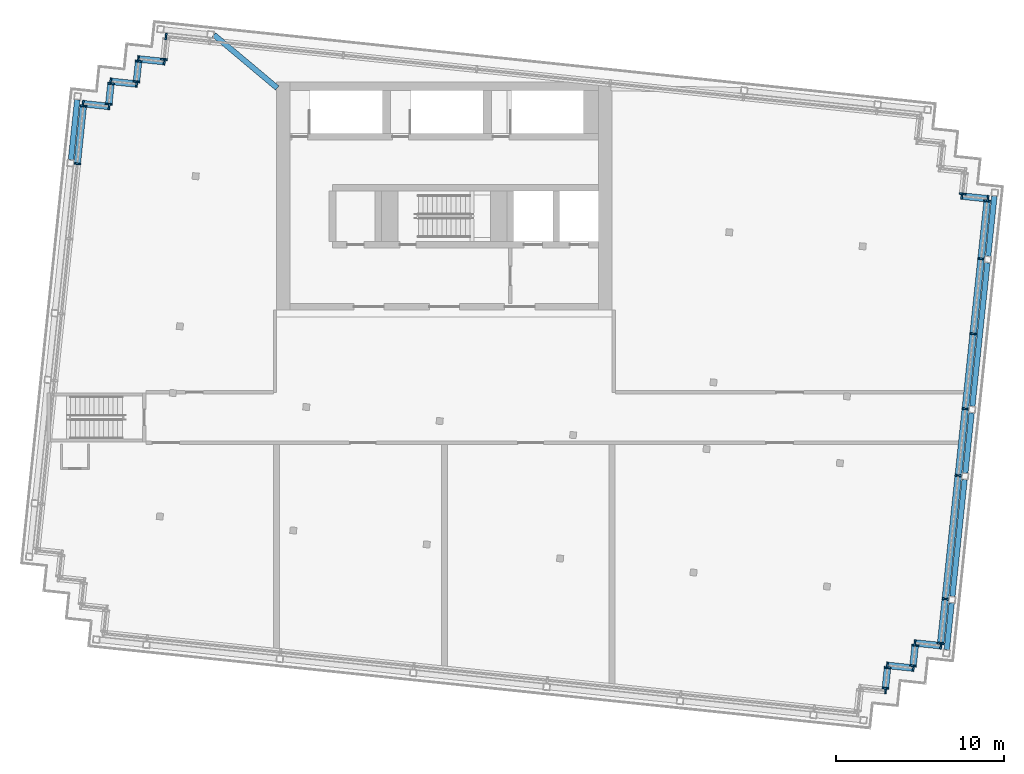
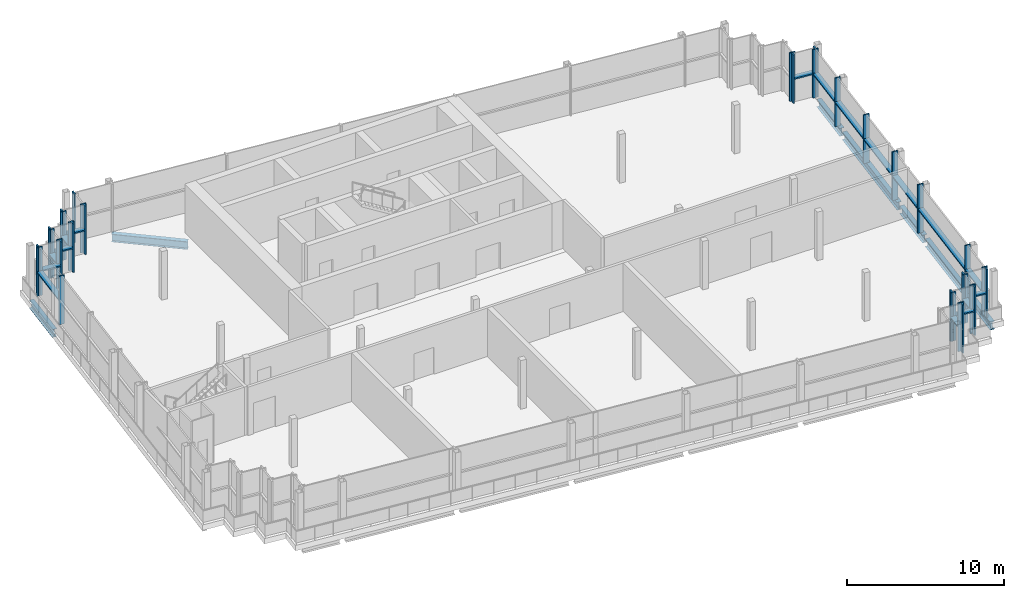
# One storey, part 4 of 13: 50 members, 7 beams, 16 elements without a shape of their own.
"""IFC4 building model written with IfcOpenShell, lengths in metres."""

from ifc_helpers import new_model, si_unit, direction, frame, origin, origin_2d, place, context, subcontext, project, spatial, rectangle, i_section, extrude, material, material_profile, profile_set, type_object, element, aggregate, save


model = new_model("IFC4")

# Units and contexts
model_context = context("Model", 3, precision=1e-05, world=origin(), true_north=direction((0.0, 1.0)))
body_context = subcontext(model_context, "Body", "Model", "MODEL_VIEW")
ifc_project = project(units=[si_unit("LENGTHUNIT", "METRE"), si_unit("AREAUNIT", "SQUARE_METRE"), si_unit("VOLUMEUNIT", "CUBIC_METRE"), si_unit("PLANEANGLEUNIT", "RADIAN"), si_unit("MASSUNIT", "GRAM", prefix="KILO")], contexts=[model_context])

# Site, building, storey
site_placement = place(None, origin())
site = spatial("IfcSite", under=ifc_project, at=site_placement, CompositionType="ELEMENT")
building_placement = place(site_placement, origin())
building = spatial("IfcBuilding", under=site, at=building_placement, Name="Vidyagriha Tower", CompositionType="ELEMENT")
storey_placement = place(building_placement, frame((0.0, 0.0, 309.199951171875)))
storey = spatial("IfcBuildingStorey", under=building, at=storey_placement, Name="L79", CompositionType="ELEMENT", Elevation=309.199951171875)

# Beams
ifc_material_1 = material(Name="Steel ASTM A992 Grade 50", Category="steel")
ifc_material_profile_1 = material_profile(ifc_material_1, i_section(OverallWidth=0.32373046875, OverallDepth=0.612060546875, WebThickness=0.0126953125, FlangeThickness=0.01904296875, at=origin_2d()), Name="W24X104")
ifc_profile_set_1 = profile_set([ifc_material_profile_1], Name="Steel ASTM A992 Grade 50")
beam_type = type_object("IfcBeamType", Name="Edge beam W24X104", PredefinedType="SPANDREL", material=ifc_profile_set_1)
beam_1_placement = place(storey_placement, frame((-22.269287109375, 15.372802734375, -0.72607421875), z_axis=(0.104578872801, 0.994516595821, 0.0), x_axis=(-0.994516595821, 0.104578872801, 0.0)))
element("IfcBeam", 1, at=beam_1_placement, inside=storey, type_object=beam_type, Name="st-beam-L79-W12", PredefinedType="SPANDREL", context=body_context, shape_type="SweptSolid", body=[
    extrude(i_section(OverallWidth=0.32373046875, OverallDepth=0.612060546875, WebThickness=0.0126953125, FlangeThickness=0.01904296875, at=origin_2d()), origin(), (0.0, 0.0, 1.0), 3.599853515625),
])
beam_2_placement = place(storey_placement, frame((29.962646484375, -13.846923828125, -0.72607421875), z_axis=(0.104553147, 0.994519300694, 0.0), x_axis=(-0.994519300694, 0.104553147, 0.0)))
element("IfcBeam", 2, at=beam_2_placement, inside=storey, type_object=beam_type, Name="st-beam-L79-E13", PredefinedType="SPANDREL", context=body_context, shape_type="SweptSolid", body=[
    extrude(i_section(OverallWidth=0.32373046875, OverallDepth=0.612060546875, WebThickness=0.0126953125, FlangeThickness=0.01904296875, at=origin_2d()), origin(), (0.0, 0.0, 1.0), 2.7998046875),
])
beam_3_placement = place(storey_placement, frame((30.297119140625, -10.66455078125, -0.72607421875), z_axis=(0.104526832686, 0.994522066748, 0.0), x_axis=(-0.994522066748, 0.104526832686, 0.0)))
element("IfcBeam", 3, at=beam_3_placement, inside=storey, type_object=beam_type, Name="st-beam-L79-E14", PredefinedType="SPANDREL", context=body_context, shape_type="SweptSolid", body=[
    extrude(i_section(OverallWidth=0.32373046875, OverallDepth=0.612060546875, WebThickness=0.0126953125, FlangeThickness=0.01904296875, at=origin_2d()), origin(), (0.0, 0.0, 1.0), 7.0),
])
beam_4_placement = place(storey_placement, frame((31.070556640625, -3.30517578125, -0.72607421875), z_axis=(0.104571819597, 0.994517337479, 0.0), x_axis=(-0.994517337479, 0.104571819597, 0.0)))
element("IfcBeam", 4, at=beam_4_placement, inside=storey, type_object=beam_type, Name="st-beam-L79-E15", PredefinedType="SPANDREL", context=body_context, shape_type="SweptSolid", body=[
    extrude(i_section(OverallWidth=0.32373046875, OverallDepth=0.612060546875, WebThickness=0.0126953125, FlangeThickness=0.01904296875, at=origin_2d()), origin(), (0.0, 0.0, 1.0), 3.60009765625),
])
beam_5_placement = place(storey_placement, frame((31.48876953125, 0.673095703125, -0.72607421875), z_axis=(0.104528138401, 0.994521929513, 0.0), x_axis=(-0.994521929513, 0.104528138401, 0.0)))
element("IfcBeam", 5, at=beam_5_placement, inside=storey, type_object=beam_type, Name="st-beam-L79-E16", PredefinedType="SPANDREL", context=body_context, shape_type="SweptSolid", body=[
    extrude(i_section(OverallWidth=0.32373046875, OverallDepth=0.612060546875, WebThickness=0.0126953125, FlangeThickness=0.01904296875, at=origin_2d()), origin(), (0.0, 0.0, 1.0), 8.599853515625),
])
beam_6_placement = place(storey_placement, frame((32.429443359375, 9.623779296875, -0.72607421875), z_axis=(0.104571819597, 0.994517337479, 0.0), x_axis=(-0.994517337479, 0.104571819597, 0.0)))
element("IfcBeam", 6, at=beam_6_placement, inside=storey, type_object=beam_type, Name="st-beam-L79-E17", PredefinedType="SPANDREL", context=body_context, shape_type="SweptSolid", body=[
    extrude(i_section(OverallWidth=0.32373046875, OverallDepth=0.612060546875, WebThickness=0.0126953125, FlangeThickness=0.01904296875, at=origin_2d()), origin(), (0.0, 0.0, 1.0), 3.60009765625),
])
beam_7_placement = place(storey_placement, frame((-13.743896484375, 22.822509765625, -0.72607421875), z_axis=(0.76590463898, -0.642954184984, 0.0), x_axis=(0.642954184984, 0.76590463898, 0.0)))
element("IfcBeam", 7, at=beam_7_placement, inside=storey, type_object=beam_type, Name="st-beam-L79-NC21", PredefinedType="SPANDREL", context=body_context, shape_type="SweptSolid", body=[
    extrude(i_section(OverallWidth=0.32373046875, OverallDepth=0.612060546875, WebThickness=0.0126953125, FlangeThickness=0.01904296875, at=origin_2d()), origin(), (0.0, 0.0, 1.0), 4.934326171875),
])

# Curtain wall, members
ifc_material_2 = material(Name="Aluminium and glass curtain wall", Category="aluminium")
curtain_wall_type = type_object("IfcCurtainWallType", Name="Crown plant louvre wall", PredefinedType="USERDEFINED", material=ifc_material_2)
curtain_wall_1_placement = place(storey_placement, origin())
curtain_wall_1 = element("IfcCurtainWall", 8, at=curtain_wall_1_placement, inside=storey, type_object=curtain_wall_type, Name="CW9 crown plant louvre wall", ObjectType="STICK GLAZING", PredefinedType="USERDEFINED")
ifc_material_3 = material(Name="Aluminium black anodised", Category="aluminium")
ifc_material_profile_2 = material_profile(ifc_material_3, rectangle(XDim=0.39990234375, YDim=0.10009765625, at=origin_2d()), Name="Mullion 100x400 black aluminium")
ifc_profile_set_2 = profile_set([ifc_material_profile_2], Name="Aluminium black anodised")
member_type_1 = type_object("IfcMemberType", Name="Mullion 100x400 black aluminium", PredefinedType="MULLION", material=ifc_profile_set_2)
member_1_placement = place(storey_placement, frame((32.4169921875, 13.043701171875, 0.0), z_axis=(0.0, 0.0, 1.0), x_axis=(-0.104465258184, -0.99452853646, 0.0)))
member_1 = element("IfcMember", 9, at=member_1_placement, type_object=member_type_1, Name="CW9 mullion 1", PredefinedType="MULLION", context=body_context, shape_type="SweptSolid", body=[
    extrude(rectangle(XDim=0.39990234375, YDim=0.10009765625, at=origin_2d()), origin(), (0.0, 0.0, 1.0), 3.780029296875),
])
member_2_placement = place(storey_placement, frame((30.865478515625, 13.206787109375, 0.0), z_axis=(0.0, 0.0, 1.0), x_axis=(-0.104465258184, -0.99452853646, 0.0)))
member_2 = element("IfcMember", 10, at=member_2_placement, type_object=member_type_1, Name="CW9 mullion 2", PredefinedType="MULLION", context=body_context, shape_type="SweptSolid", body=[
    extrude(rectangle(XDim=0.39990234375, YDim=0.10009765625, at=origin_2d()), origin(), (0.0, 0.0, 1.0), 3.780029296875),
])

# Curtain wall, member
curtain_wall_2_placement = place(storey_placement, origin())
curtain_wall_2 = element("IfcCurtainWall", 11, at=curtain_wall_2_placement, inside=storey, type_object=curtain_wall_type, Name="CW9 crown plant louvre wall", ObjectType="STICK GLAZING", PredefinedType="USERDEFINED")
member_3_placement = place(storey_placement, frame((30.908935546875, 13.332763671875, 0.0), z_axis=(0.0, 0.0, 1.0), x_axis=(-0.994527511623, 0.104475014354, 0.0)))
member_3 = element("IfcMember", 12, at=member_3_placement, type_object=member_type_1, Name="CW9 mullion 1", PredefinedType="MULLION", context=body_context, shape_type="SweptSolid", body=[
    extrude(rectangle(XDim=0.39990234375, YDim=0.10009765625, at=origin_2d()), origin(), (0.0, 0.0, 1.0), 3.780029296875),
])
aggregate(curtain_wall_2, [member_3])

curtain_wall_3_placement = place(storey_placement, origin())
curtain_wall_3 = element("IfcCurtainWall", 13, at=curtain_wall_3_placement, inside=storey, type_object=curtain_wall_type, Name="CW9 crown plant louvre wall", ObjectType="STICK GLAZING", PredefinedType="USERDEFINED")
member_4_placement = place(storey_placement, frame((-16.60009765625, 22.720458984375, 0.0), z_axis=(0.0, 0.0, 1.0), x_axis=(-0.104528022383, -0.994521941707, 0.0)))
member_4 = element("IfcMember", 14, at=member_4_placement, type_object=member_type_1, Name="CW9 mullion 8", PredefinedType="MULLION", context=body_context, shape_type="SweptSolid", body=[
    extrude(rectangle(XDim=0.39990234375, YDim=0.10009765625, at=origin_2d()), origin(), (0.0, 0.0, 1.0), 3.780029296875),
])
aggregate(curtain_wall_3, [member_4])

curtain_wall_4_placement = place(storey_placement, origin())
curtain_wall_4 = element("IfcCurtainWall", 15, at=curtain_wall_4_placement, inside=storey, type_object=curtain_wall_type, Name="CW9 crown plant louvre wall", ObjectType="STICK GLAZING", PredefinedType="USERDEFINED")
member_5_placement = place(storey_placement, frame((-16.713623046875, 21.354736328125, 0.0), z_axis=(0.0, 0.0, 1.0), x_axis=(0.994519755162, -0.104548823962, 0.0)))
member_5 = element("IfcMember", 16, at=member_5_placement, type_object=member_type_1, Name="CW9 mullion 2", PredefinedType="MULLION", context=body_context, shape_type="SweptSolid", body=[
    extrude(rectangle(XDim=0.39990234375, YDim=0.10009765625, at=origin_2d()), origin(), (0.0, 0.0, 1.0), 3.780029296875),
])
aggregate(curtain_wall_4, [member_5])

# Curtain wall, members
curtain_wall_5_placement = place(storey_placement, origin())
curtain_wall_5 = element("IfcCurtainWall", 17, at=curtain_wall_5_placement, inside=storey, type_object=curtain_wall_type, Name="CW9 crown plant louvre wall", ObjectType="STICK GLAZING", PredefinedType="USERDEFINED")
member_6_placement = place(storey_placement, frame((-16.697265625, 21.222412109375, 0.0), z_axis=(0.0, 0.0, 1.0), x_axis=(-0.104518583201, -0.994522933756, 0.0)))
member_6 = element("IfcMember", 18, at=member_6_placement, type_object=member_type_1, Name="CW9 mullion 1", PredefinedType="MULLION", context=body_context, shape_type="SweptSolid", body=[
    extrude(rectangle(XDim=0.39990234375, YDim=0.10009765625, at=origin_2d()), origin(), (0.0, 0.0, 1.0), 3.780029296875),
])
member_7_placement = place(storey_placement, frame((-18.248779296875, 21.38525390625, 0.0), z_axis=(0.0, 0.0, 1.0), x_axis=(-0.104518583201, -0.994522933756, 0.0)))
member_7 = element("IfcMember", 19, at=member_7_placement, type_object=member_type_1, Name="CW9 mullion 2", PredefinedType="MULLION", context=body_context, shape_type="SweptSolid", body=[
    extrude(rectangle(XDim=0.39990234375, YDim=0.10009765625, at=origin_2d()), origin(), (0.0, 0.0, 1.0), 3.780029296875),
])

curtain_wall_6_placement = place(storey_placement, origin())
curtain_wall_6 = element("IfcCurtainWall", 20, at=curtain_wall_6_placement, inside=storey, type_object=curtain_wall_type, Name="CW9 crown plant louvre wall", ObjectType="STICK GLAZING", PredefinedType="USERDEFINED")
member_8_placement = place(storey_placement, frame((-18.232421875, 21.2529296875, 0.0), z_axis=(0.0, 0.0, 1.0), x_axis=(0.994519755162, -0.104548823962, 0.0)))
member_8 = element("IfcMember", 21, at=member_8_placement, type_object=member_type_1, Name="CW9 mullion 1", PredefinedType="MULLION", context=body_context, shape_type="SweptSolid", body=[
    extrude(rectangle(XDim=0.39990234375, YDim=0.10009765625, at=origin_2d()), origin(), (0.0, 0.0, 1.0), 3.780029296875),
])
member_9_placement = place(storey_placement, frame((-18.362060546875, 20.019775390625, 0.0), z_axis=(0.0, 0.0, 1.0), x_axis=(0.994519755162, -0.104548823962, 0.0)))
member_9 = element("IfcMember", 22, at=member_9_placement, type_object=member_type_1, Name="CW9 mullion 2", PredefinedType="MULLION", context=body_context, shape_type="SweptSolid", body=[
    extrude(rectangle(XDim=0.39990234375, YDim=0.10009765625, at=origin_2d()), origin(), (0.0, 0.0, 1.0), 3.780029296875),
])

curtain_wall_7_placement = place(storey_placement, origin())
curtain_wall_7 = element("IfcCurtainWall", 23, at=curtain_wall_7_placement, inside=storey, type_object=curtain_wall_type, Name="CW9 crown plant louvre wall", ObjectType="STICK GLAZING", PredefinedType="USERDEFINED")
member_10_placement = place(storey_placement, frame((-18.345703125, 19.88720703125, 0.0), z_axis=(0.0, 0.0, 1.0), x_axis=(-0.104512321721, -0.994523591781, 0.0)))
member_10 = element("IfcMember", 24, at=member_10_placement, type_object=member_type_1, Name="CW9 mullion 1", PredefinedType="MULLION", context=body_context, shape_type="SweptSolid", body=[
    extrude(rectangle(XDim=0.39990234375, YDim=0.10009765625, at=origin_2d()), origin(), (0.0, 0.0, 1.0), 3.780029296875),
])
member_11_placement = place(storey_placement, frame((-19.897216796875, 20.05029296875, 0.0), z_axis=(0.0, 0.0, 1.0), x_axis=(-0.104512321721, -0.994523591781, 0.0)))
member_11 = element("IfcMember", 25, at=member_11_placement, type_object=member_type_1, Name="CW9 mullion 2", PredefinedType="MULLION", context=body_context, shape_type="SweptSolid", body=[
    extrude(rectangle(XDim=0.39990234375, YDim=0.10009765625, at=origin_2d()), origin(), (0.0, 0.0, 1.0), 3.780029296875),
])

curtain_wall_8_placement = place(storey_placement, origin())
curtain_wall_8 = element("IfcCurtainWall", 26, at=curtain_wall_8_placement, inside=storey, type_object=curtain_wall_type, Name="CW9 crown plant louvre wall", ObjectType="STICK GLAZING", PredefinedType="USERDEFINED")
member_12_placement = place(storey_placement, frame((-19.881103515625, 19.91796875, 0.0), z_axis=(0.0, 0.0, 1.0), x_axis=(0.994518123441, -0.10456434453, 0.0)))
member_12 = element("IfcMember", 27, at=member_12_placement, type_object=member_type_1, Name="CW9 mullion 1", PredefinedType="MULLION", context=body_context, shape_type="SweptSolid", body=[
    extrude(rectangle(XDim=0.39990234375, YDim=0.10009765625, at=origin_2d()), origin(), (0.0, 0.0, 1.0), 3.780029296875),
])
member_13_placement = place(storey_placement, frame((-20.0107421875, 18.684814453125, 0.0), z_axis=(0.0, 0.0, 1.0), x_axis=(0.994518123441, -0.10456434453, 0.0)))
member_13 = element("IfcMember", 28, at=member_13_placement, type_object=member_type_1, Name="CW9 mullion 2", PredefinedType="MULLION", context=body_context, shape_type="SweptSolid", body=[
    extrude(rectangle(XDim=0.39990234375, YDim=0.10009765625, at=origin_2d()), origin(), (0.0, 0.0, 1.0), 3.780029296875),
])

curtain_wall_9_placement = place(storey_placement, origin())
curtain_wall_9 = element("IfcCurtainWall", 29, at=curtain_wall_9_placement, inside=storey, type_object=curtain_wall_type, Name="CW9 crown plant louvre wall", ObjectType="STICK GLAZING", PredefinedType="USERDEFINED")
member_14_placement = place(storey_placement, frame((-19.994384765625, 18.552490234375, 0.0), z_axis=(0.0, 0.0, 1.0), x_axis=(-0.104452741485, -0.994529851134, 0.0)))
member_14 = element("IfcMember", 30, at=member_14_placement, type_object=member_type_1, Name="CW9 mullion 1", PredefinedType="MULLION", context=body_context, shape_type="SweptSolid", body=[
    extrude(rectangle(XDim=0.39990234375, YDim=0.10009765625, at=origin_2d()), origin(), (0.0, 0.0, 1.0), 3.780029296875),
])
member_15_placement = place(storey_placement, frame((-21.5458984375, 18.715576171875, 0.0), z_axis=(0.0, 0.0, 1.0), x_axis=(-0.104452741485, -0.994529851134, 0.0)))
member_15 = element("IfcMember", 31, at=member_15_placement, type_object=member_type_1, Name="CW9 mullion 2", PredefinedType="MULLION", context=body_context, shape_type="SweptSolid", body=[
    extrude(rectangle(XDim=0.39990234375, YDim=0.10009765625, at=origin_2d()), origin(), (0.0, 0.0, 1.0), 3.780029296875),
])

curtain_wall_10_placement = place(storey_placement, origin())
curtain_wall_10 = element("IfcCurtainWall", 32, at=curtain_wall_10_placement, inside=storey, type_object=curtain_wall_type, Name="CW9 crown plant louvre wall", ObjectType="STICK GLAZING", PredefinedType="USERDEFINED")
member_16_placement = place(storey_placement, frame((-21.529541015625, 18.5830078125, 0.0), z_axis=(0.0, 0.0, 1.0), x_axis=(0.994522018715, -0.104527289697, 0.0)))
member_16 = element("IfcMember", 33, at=member_16_placement, type_object=member_type_1, Name="CW9 mullion 1", PredefinedType="MULLION", context=body_context, shape_type="SweptSolid", body=[
    extrude(rectangle(XDim=0.39990234375, YDim=0.10009765625, at=origin_2d()), origin(), (0.0, 0.0, 1.0), 3.780029296875),
])
member_17_placement = place(storey_placement, frame((-21.892333984375, 15.132080078125, 0.0), z_axis=(0.0, 0.0, 1.0), x_axis=(0.994522018715, -0.104527289697, 0.0)))
member_17 = element("IfcMember", 34, at=member_17_placement, type_object=member_type_1, Name="CW9 mullion 2", PredefinedType="MULLION", context=body_context, shape_type="SweptSolid", body=[
    extrude(rectangle(XDim=0.39990234375, YDim=0.10009765625, at=origin_2d()), origin(), (0.0, 0.0, 1.0), 3.780029296875),
])

# Curtain wall, member
curtain_wall_11_placement = place(storey_placement, origin())
curtain_wall_11 = element("IfcCurtainWall", 35, at=curtain_wall_11_placement, inside=storey, type_object=curtain_wall_type, Name="CW9 crown plant louvre wall", ObjectType="STICK GLAZING", PredefinedType="USERDEFINED")
member_18_placement = place(storey_placement, frame((26.318359375, -16.279541015625, 0.0), z_axis=(0.0, 0.0, 1.0), x_axis=(0.104518583201, 0.994522933756, 0.0)))
member_18 = element("IfcMember", 36, at=member_18_placement, type_object=member_type_1, Name="CW9 mullion 2", PredefinedType="MULLION", context=body_context, shape_type="SweptSolid", body=[
    extrude(rectangle(XDim=0.39990234375, YDim=0.10009765625, at=origin_2d()), origin(), (0.0, 0.0, 1.0), 3.780029296875),
])
aggregate(curtain_wall_11, [member_18])

# Curtain wall, members
curtain_wall_12_placement = place(storey_placement, origin())
curtain_wall_12 = element("IfcCurtainWall", 37, at=curtain_wall_12_placement, inside=storey, type_object=curtain_wall_type, Name="CW9 crown plant louvre wall", ObjectType="STICK GLAZING", PredefinedType="USERDEFINED")
member_19_placement = place(storey_placement, frame((26.30224609375, -16.14697265625, 0.0), z_axis=(0.0, 0.0, 1.0), x_axis=(-0.994519755162, 0.104548823962, 0.0)))
member_19 = element("IfcMember", 38, at=member_19_placement, type_object=member_type_1, Name="CW9 mullion 1", PredefinedType="MULLION", context=body_context, shape_type="SweptSolid", body=[
    extrude(rectangle(XDim=0.39990234375, YDim=0.10009765625, at=origin_2d()), origin(), (0.0, 0.0, 1.0), 3.780029296875),
])
member_20_placement = place(storey_placement, frame((26.431884765625, -14.913818359375, 0.0), z_axis=(0.0, 0.0, 1.0), x_axis=(-0.994519755162, 0.104548823962, 0.0)))
member_20 = element("IfcMember", 39, at=member_20_placement, type_object=member_type_1, Name="CW9 mullion 2", PredefinedType="MULLION", context=body_context, shape_type="SweptSolid", body=[
    extrude(rectangle(XDim=0.39990234375, YDim=0.10009765625, at=origin_2d()), origin(), (0.0, 0.0, 1.0), 3.780029296875),
])

curtain_wall_13_placement = place(storey_placement, origin())
curtain_wall_13 = element("IfcCurtainWall", 40, at=curtain_wall_13_placement, inside=storey, type_object=curtain_wall_type, Name="CW9 crown plant louvre wall", ObjectType="STICK GLAZING", PredefinedType="USERDEFINED")
member_21_placement = place(storey_placement, frame((26.41552734375, -14.781494140625, 0.0), z_axis=(0.0, 0.0, 1.0), x_axis=(0.104518583201, 0.994522933756, 0.0)))
member_21 = element("IfcMember", 41, at=member_21_placement, type_object=member_type_1, Name="CW9 mullion 1", PredefinedType="MULLION", context=body_context, shape_type="SweptSolid", body=[
    extrude(rectangle(XDim=0.39990234375, YDim=0.10009765625, at=origin_2d()), origin(), (0.0, 0.0, 1.0), 3.780029296875),
])
member_22_placement = place(storey_placement, frame((27.967041015625, -14.944580078125, 0.0), z_axis=(0.0, 0.0, 1.0), x_axis=(0.104518583201, 0.994522933756, 0.0)))
member_22 = element("IfcMember", 42, at=member_22_placement, type_object=member_type_1, Name="CW9 mullion 2", PredefinedType="MULLION", context=body_context, shape_type="SweptSolid", body=[
    extrude(rectangle(XDim=0.39990234375, YDim=0.10009765625, at=origin_2d()), origin(), (0.0, 0.0, 1.0), 3.780029296875),
])

curtain_wall_14_placement = place(storey_placement, origin())
curtain_wall_14 = element("IfcCurtainWall", 43, at=curtain_wall_14_placement, inside=storey, type_object=curtain_wall_type, Name="CW9 crown plant louvre wall", ObjectType="STICK GLAZING", PredefinedType="USERDEFINED")
member_23_placement = place(storey_placement, frame((27.95068359375, -14.81201171875, 0.0), z_axis=(0.0, 0.0, 1.0), x_axis=(-0.994519755162, 0.104548823962, 0.0)))
member_23 = element("IfcMember", 44, at=member_23_placement, type_object=member_type_1, Name="CW9 mullion 1", PredefinedType="MULLION", context=body_context, shape_type="SweptSolid", body=[
    extrude(rectangle(XDim=0.39990234375, YDim=0.10009765625, at=origin_2d()), origin(), (0.0, 0.0, 1.0), 3.780029296875),
])
member_24_placement = place(storey_placement, frame((28.080322265625, -13.578857421875, 0.0), z_axis=(0.0, 0.0, 1.0), x_axis=(-0.994519755162, 0.104548823962, 0.0)))
member_24 = element("IfcMember", 45, at=member_24_placement, type_object=member_type_1, Name="CW9 mullion 2", PredefinedType="MULLION", context=body_context, shape_type="SweptSolid", body=[
    extrude(rectangle(XDim=0.39990234375, YDim=0.10009765625, at=origin_2d()), origin(), (0.0, 0.0, 1.0), 3.780029296875),
])

curtain_wall_15_placement = place(storey_placement, origin())
curtain_wall_15 = element("IfcCurtainWall", 46, at=curtain_wall_15_placement, inside=storey, type_object=curtain_wall_type, Name="CW9 crown plant louvre wall", ObjectType="STICK GLAZING", PredefinedType="USERDEFINED")
member_25_placement = place(storey_placement, frame((28.06396484375, -13.446533203125, 0.0), z_axis=(0.0, 0.0, 1.0), x_axis=(0.104512321721, 0.994523591781, 0.0)))
member_25 = element("IfcMember", 47, at=member_25_placement, type_object=member_type_1, Name="CW9 mullion 1", PredefinedType="MULLION", context=body_context, shape_type="SweptSolid", body=[
    extrude(rectangle(XDim=0.39990234375, YDim=0.10009765625, at=origin_2d()), origin(), (0.0, 0.0, 1.0), 3.780029296875),
])
member_26_placement = place(storey_placement, frame((29.615478515625, -13.609375, 0.0), z_axis=(0.0, 0.0, 1.0), x_axis=(0.104512321721, 0.994523591781, 0.0)))
member_26 = element("IfcMember", 48, at=member_26_placement, type_object=member_type_1, Name="CW9 mullion 2", PredefinedType="MULLION", context=body_context, shape_type="SweptSolid", body=[
    extrude(rectangle(XDim=0.39990234375, YDim=0.10009765625, at=origin_2d()), origin(), (0.0, 0.0, 1.0), 3.780029296875),
])

curtain_wall_16_placement = place(storey_placement, origin())
curtain_wall_16 = element("IfcCurtainWall", 49, at=curtain_wall_16_placement, inside=storey, type_object=curtain_wall_type, Name="CW9 crown plant louvre wall", ObjectType="STICK GLAZING", PredefinedType="USERDEFINED")
member_27_placement = place(storey_placement, frame((29.599365234375, -13.47705078125, 0.0), z_axis=(0.0, 0.0, 1.0), x_axis=(-0.994522059728, 0.104526899479, 0.0)))
member_27 = element("IfcMember", 50, at=member_27_placement, type_object=member_type_1, Name="CW9 mullion 1", PredefinedType="MULLION", context=body_context, shape_type="SweptSolid", body=[
    extrude(rectangle(XDim=0.39990234375, YDim=0.10009765625, at=origin_2d()), origin(), (0.0, 0.0, 1.0), 3.780029296875),
])
member_28_placement = place(storey_placement, frame((29.87841796875, -10.82177734375, 0.0), z_axis=(0.0, 0.0, 1.0), x_axis=(-0.994522059728, 0.104526899479, 0.0)))
member_28 = element("IfcMember", 51, at=member_28_placement, type_object=member_type_1, Name="CW9 mullion 2", PredefinedType="MULLION", context=body_context, shape_type="SweptSolid", body=[
    extrude(rectangle(XDim=0.39990234375, YDim=0.10009765625, at=origin_2d()), origin(), (0.0, 0.0, 1.0), 3.780029296875),
])
member_29_placement = place(storey_placement, frame((30.65185546875, -3.462158203125, 0.0), z_axis=(0.0, 0.0, 1.0), x_axis=(-0.994522059728, 0.104526899479, 0.0)))
member_29 = element("IfcMember", 52, at=member_29_placement, type_object=member_type_1, Name="CW9 mullion 3", PredefinedType="MULLION", context=body_context, shape_type="SweptSolid", body=[
    extrude(rectangle(XDim=0.39990234375, YDim=0.10009765625, at=origin_2d()), origin(), (0.0, 0.0, 1.0), 3.780029296875),
])
member_30_placement = place(storey_placement, frame((31.070068359375, 0.515869140625, 0.0), z_axis=(0.0, 0.0, 1.0), x_axis=(-0.994522059728, 0.104526899479, 0.0)))
member_30 = element("IfcMember", 53, at=member_30_placement, type_object=member_type_1, Name="CW9 mullion 4", PredefinedType="MULLION", context=body_context, shape_type="SweptSolid", body=[
    extrude(rectangle(XDim=0.39990234375, YDim=0.10009765625, at=origin_2d()), origin(), (0.0, 0.0, 1.0), 3.780029296875),
])
member_31_placement = place(storey_placement, frame((31.540283203125, 4.9912109375, 0.0), z_axis=(0.0, 0.0, 1.0), x_axis=(-0.994522059728, 0.104526899479, 0.0)))
member_31 = element("IfcMember", 54, at=member_31_placement, type_object=member_type_1, Name="CW9 mullion 5", PredefinedType="MULLION", context=body_context, shape_type="SweptSolid", body=[
    extrude(rectangle(XDim=0.39990234375, YDim=0.10009765625, at=origin_2d()), origin(), (0.0, 0.0, 1.0), 3.780029296875),
])
member_32_placement = place(storey_placement, frame((32.0107421875, 9.466552734375, 0.0), z_axis=(0.0, 0.0, 1.0), x_axis=(-0.994522059728, 0.104526899479, 0.0)))
member_32 = element("IfcMember", 55, at=member_32_placement, type_object=member_type_1, Name="CW9 mullion 6", PredefinedType="MULLION", context=body_context, shape_type="SweptSolid", body=[
    extrude(rectangle(XDim=0.39990234375, YDim=0.10009765625, at=origin_2d()), origin(), (0.0, 0.0, 1.0), 3.780029296875),
])
member_33_placement = place(storey_placement, frame((32.37353515625, 12.91748046875, 0.0), z_axis=(0.0, 0.0, 1.0), x_axis=(-0.994522059728, 0.104526899479, 0.0)))
member_33 = element("IfcMember", 56, at=member_33_placement, type_object=member_type_1, Name="CW9 mullion 7", PredefinedType="MULLION", context=body_context, shape_type="SweptSolid", body=[
    extrude(rectangle(XDim=0.39990234375, YDim=0.10009765625, at=origin_2d()), origin(), (0.0, 0.0, 1.0), 3.780029296875),
])

# Member
ifc_material_4 = material(Name="Aluminium black anodised", Category="aluminium")
ifc_material_profile_3 = material_profile(ifc_material_4, rectangle(XDim=0.39990234375, YDim=0.10009765625, at=origin_2d()), Name="Transom 100x400 black aluminium")
ifc_profile_set_3 = profile_set([ifc_material_profile_3], Name="Aluminium black anodised")
member_type_2 = type_object("IfcMemberType", Name="Transom 100x400 black aluminium", PredefinedType="USERDEFINED", material=ifc_profile_set_3)
member_34_placement = place(storey_placement, frame((32.3671875, 13.048828125, 1.89013671875), z_axis=(-0.99452284952, 0.104519384723, 0.0), x_axis=(-0.104519384723, -0.99452284952, 0.0)))
member_34 = element("IfcMember", 57, at=member_34_placement, type_object=member_type_2, Name="CW9 transom 1.1", ObjectType="TRANSOM", PredefinedType="USERDEFINED", context=body_context, shape_type="SweptSolid", body=[
    extrude(rectangle(XDim=0.39990234375, YDim=0.10009765625, at=origin_2d()), origin(), (0.0, 0.0, 1.0), 1.4599609375),
])

aggregate(curtain_wall_1, [member_1, member_2, member_34])

member_35_placement = place(storey_placement, frame((-16.7470703125, 21.2275390625, 1.89013671875), z_axis=(-0.99452284952, 0.104519384723, 0.0), x_axis=(-0.104519384723, -0.99452284952, 0.0)))
member_35 = element("IfcMember", 58, at=member_35_placement, type_object=member_type_2, Name="CW9 transom 1.1", ObjectType="TRANSOM", PredefinedType="USERDEFINED", context=body_context, shape_type="SweptSolid", body=[
    extrude(rectangle(XDim=0.39990234375, YDim=0.10009765625, at=origin_2d()), origin(), (0.0, 0.0, 1.0), 1.4599609375),
])

aggregate(curtain_wall_5, [member_6, member_7, member_35])

member_36_placement = place(storey_placement, frame((-18.237548828125, 21.203369140625, 1.89013671875), z_axis=(-0.104695929553, -0.994504279697, 0.0), x_axis=(0.994504279697, -0.104695929553, 0.0)))
member_36 = element("IfcMember", 59, at=member_36_placement, type_object=member_type_2, Name="CW9 transom 1.1", ObjectType="TRANSOM", PredefinedType="USERDEFINED", context=body_context, shape_type="SweptSolid", body=[
    extrude(rectangle(XDim=0.39990234375, YDim=0.10009765625, at=origin_2d()), origin(), (0.0, 0.0, 1.0), 1.140380859375),
])

aggregate(curtain_wall_6, [member_8, member_9, member_36])

member_37_placement = place(storey_placement, frame((-18.3955078125, 19.892578125, 1.89013671875), z_axis=(-0.994524675946, 0.10450200445, 0.0), x_axis=(-0.10450200445, -0.994524675946, 0.0)))
member_37 = element("IfcMember", 60, at=member_37_placement, type_object=member_type_2, Name="CW9 transom 1.1", ObjectType="TRANSOM", PredefinedType="USERDEFINED", context=body_context, shape_type="SweptSolid", body=[
    extrude(rectangle(XDim=0.39990234375, YDim=0.10009765625, at=origin_2d()), origin(), (0.0, 0.0, 1.0), 1.460205078125),
])

aggregate(curtain_wall_7, [member_10, member_11, member_37])

member_38_placement = place(storey_placement, frame((-19.88623046875, 19.8681640625, 1.89013671875), z_axis=(-0.104528682681, -0.994521872307, 0.0), x_axis=(0.994521872307, -0.104528682681, 0.0)))
member_38 = element("IfcMember", 61, at=member_38_placement, type_object=member_type_2, Name="CW9 transom 1.1", ObjectType="TRANSOM", PredefinedType="USERDEFINED", context=body_context, shape_type="SweptSolid", body=[
    extrude(rectangle(XDim=0.39990234375, YDim=0.10009765625, at=origin_2d()), origin(), (0.0, 0.0, 1.0), 1.139892578125),
])

aggregate(curtain_wall_8, [member_12, member_13, member_38])

member_39_placement = place(storey_placement, frame((-20.0439453125, 18.557861328125, 1.89013671875), z_axis=(-0.994542039899, 0.104336622881, 0.0), x_axis=(-0.104336622881, -0.994542039899, 0.0)))
member_39 = element("IfcMember", 62, at=member_39_placement, type_object=member_type_2, Name="CW9 transom 1.1", ObjectType="TRANSOM", PredefinedType="USERDEFINED", context=body_context, shape_type="SweptSolid", body=[
    extrude(rectangle(XDim=0.39990234375, YDim=0.10009765625, at=origin_2d()), origin(), (0.0, 0.0, 1.0), 1.460205078125),
])

aggregate(curtain_wall_9, [member_14, member_15, member_39])

member_40_placement = place(storey_placement, frame((-21.534912109375, 18.533203125, 1.89013671875), z_axis=(-0.104537710696, -0.994520923381, 0.0), x_axis=(0.994520923381, -0.104537710696, 0.0)))
member_40 = element("IfcMember", 63, at=member_40_placement, type_object=member_type_2, Name="CW9 transom 1.1", ObjectType="TRANSOM", PredefinedType="USERDEFINED", context=body_context, shape_type="SweptSolid", body=[
    extrude(rectangle(XDim=0.39990234375, YDim=0.10009765625, at=origin_2d()), origin(), (0.0, 0.0, 1.0), 3.3701171875),
])

aggregate(curtain_wall_10, [member_16, member_17, member_40])

member_41_placement = place(storey_placement, frame((26.307373046875, -16.097412109375, 1.89013671875), z_axis=(0.104718226703, 0.994501932123, 0.0), x_axis=(-0.994501932123, 0.104718226703, 0.0)))
member_41 = element("IfcMember", 64, at=member_41_placement, type_object=member_type_2, Name="CW9 transom 1.1", ObjectType="TRANSOM", PredefinedType="USERDEFINED", context=body_context, shape_type="SweptSolid", body=[
    extrude(rectangle(XDim=0.39990234375, YDim=0.10009765625, at=origin_2d()), origin(), (0.0, 0.0, 1.0), 1.14013671875),
])

aggregate(curtain_wall_12, [member_19, member_20, member_41])

member_42_placement = place(storey_placement, frame((26.46533203125, -14.78662109375, 1.89013671875), z_axis=(0.99452284952, -0.104519384723, 0.0), x_axis=(0.104519384723, 0.99452284952, 0.0)))
member_42 = element("IfcMember", 65, at=member_42_placement, type_object=member_type_2, Name="CW9 transom 1.1", ObjectType="TRANSOM", PredefinedType="USERDEFINED", context=body_context, shape_type="SweptSolid", body=[
    extrude(rectangle(XDim=0.39990234375, YDim=0.10009765625, at=origin_2d()), origin(), (0.0, 0.0, 1.0), 1.4599609375),
])

aggregate(curtain_wall_13, [member_21, member_22, member_42])

member_43_placement = place(storey_placement, frame((27.9560546875, -14.762451171875, 1.89013671875), z_axis=(0.104506420204, 0.994524211941, 0.0), x_axis=(-0.994524211941, 0.104506420204, 0.0)))
member_43 = element("IfcMember", 66, at=member_43_placement, type_object=member_type_2, Name="CW9 transom 1.1", ObjectType="TRANSOM", PredefinedType="USERDEFINED", context=body_context, shape_type="SweptSolid", body=[
    extrude(rectangle(XDim=0.39990234375, YDim=0.10009765625, at=origin_2d()), origin(), (0.0, 0.0, 1.0), 1.14013671875),
])

aggregate(curtain_wall_14, [member_23, member_24, member_43])

member_44_placement = place(storey_placement, frame((28.11376953125, -13.45166015625, 1.89013671875), z_axis=(0.994524675946, -0.10450200445, 0.0), x_axis=(0.10450200445, 0.994524675946, 0.0)))
member_44 = element("IfcMember", 67, at=member_44_placement, type_object=member_type_2, Name="CW9 transom 1.1", ObjectType="TRANSOM", PredefinedType="USERDEFINED", context=body_context, shape_type="SweptSolid", body=[
    extrude(rectangle(XDim=0.39990234375, YDim=0.10009765625, at=origin_2d()), origin(), (0.0, 0.0, 1.0), 1.460205078125),
])

aggregate(curtain_wall_15, [member_25, member_26, member_44])

member_45_placement = place(storey_placement, frame((29.6044921875, -13.42724609375, 1.89013671875), z_axis=(0.104590828894, 0.9945153385, 0.0), x_axis=(-0.9945153385, 0.104590828894, 0.0)))
member_45 = element("IfcMember", 68, at=member_45_placement, type_object=member_type_2, Name="CW9 transom 1.1", ObjectType="TRANSOM", PredefinedType="USERDEFINED", context=body_context, shape_type="SweptSolid", body=[
    extrude(rectangle(XDim=0.39990234375, YDim=0.10009765625, at=origin_2d()), origin(), (0.0, 0.0, 1.0), 2.570068359375),
])

member_46_placement = place(storey_placement, frame((29.883544921875, -10.77197265625, 1.89013671875), z_axis=(0.104545510425, 0.994520103492, 0.0), x_axis=(-0.994520103492, 0.104545510425, 0.0)))
member_46 = element("IfcMember", 69, at=member_46_placement, type_object=member_type_2, Name="CW9 transom 2.1", ObjectType="TRANSOM", PredefinedType="USERDEFINED", context=body_context, shape_type="SweptSolid", body=[
    extrude(rectangle(XDim=0.39990234375, YDim=0.10009765625, at=origin_2d()), origin(), (0.0, 0.0, 1.0), 7.300048828125),
])

member_47_placement = place(storey_placement, frame((30.6572265625, -3.412353515625, 1.89013671875), z_axis=(0.104485993444, 0.99452635821, 0.0), x_axis=(-0.99452635821, 0.104485993444, 0.0)))
member_47 = element("IfcMember", 70, at=member_47_placement, type_object=member_type_2, Name="CW9 transom 3.1", ObjectType="TRANSOM", PredefinedType="USERDEFINED", context=body_context, shape_type="SweptSolid", body=[
    extrude(rectangle(XDim=0.39990234375, YDim=0.10009765625, at=origin_2d()), origin(), (0.0, 0.0, 1.0), 3.899658203125),
])

member_48_placement = place(storey_placement, frame((31.0751953125, 0.565673828125, 1.89013671875), z_axis=(0.104540361253, 0.994520644768, 0.0), x_axis=(-0.994520644768, 0.104540361253, 0.0)))
member_48 = element("IfcMember", 71, at=member_48_placement, type_object=member_type_2, Name="CW9 transom 4.1", ObjectType="TRANSOM", PredefinedType="USERDEFINED", context=body_context, shape_type="SweptSolid", body=[
    extrude(rectangle(XDim=0.39990234375, YDim=0.10009765625, at=origin_2d()), origin(), (0.0, 0.0, 1.0), 4.39990234375),
])

member_49_placement = place(storey_placement, frame((31.545654296875, 5.041015625, 1.89013671875), z_axis=(0.104540361253, 0.994520644768, 0.0), x_axis=(-0.994520644768, 0.104540361253, 0.0)))
member_49 = element("IfcMember", 72, at=member_49_placement, type_object=member_type_2, Name="CW9 transom 5.1", ObjectType="TRANSOM", PredefinedType="USERDEFINED", context=body_context, shape_type="SweptSolid", body=[
    extrude(rectangle(XDim=0.39990234375, YDim=0.10009765625, at=origin_2d()), origin(), (0.0, 0.0, 1.0), 4.39990234375),
])

member_50_placement = place(storey_placement, frame((32.015869140625, 9.51611328125, 1.89013671875), z_axis=(0.104530179526, 0.994521714981, 0.0), x_axis=(-0.994521714981, 0.104530179526, 0.0)))
member_50 = element("IfcMember", 73, at=member_50_placement, type_object=member_type_2, Name="CW9 transom 6.1", ObjectType="TRANSOM", PredefinedType="USERDEFINED", context=body_context, shape_type="SweptSolid", body=[
    extrude(rectangle(XDim=0.39990234375, YDim=0.10009765625, at=origin_2d()), origin(), (0.0, 0.0, 1.0), 3.370361328125),
])

aggregate(curtain_wall_16, [member_27, member_28, member_29, member_30, member_31, member_32, member_33, member_45, member_46, member_47, member_48, member_49, member_50])

save(model, "model.ifc")
